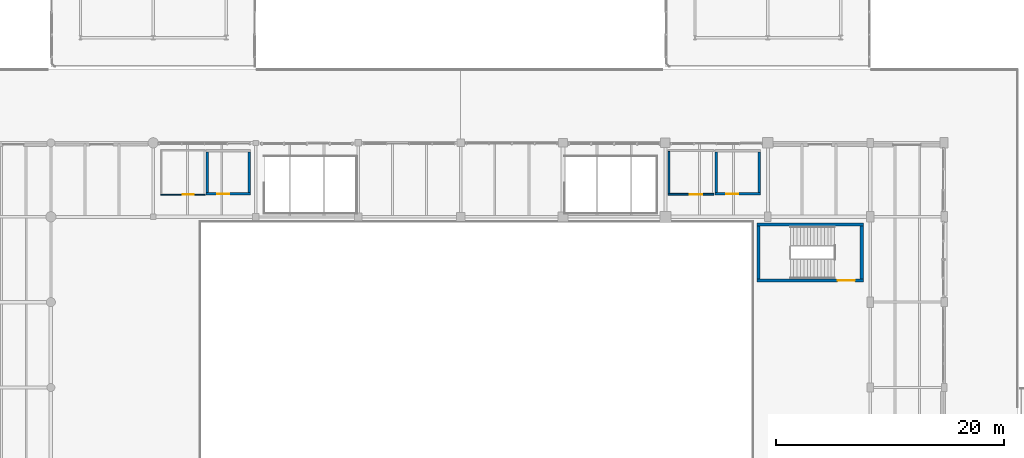
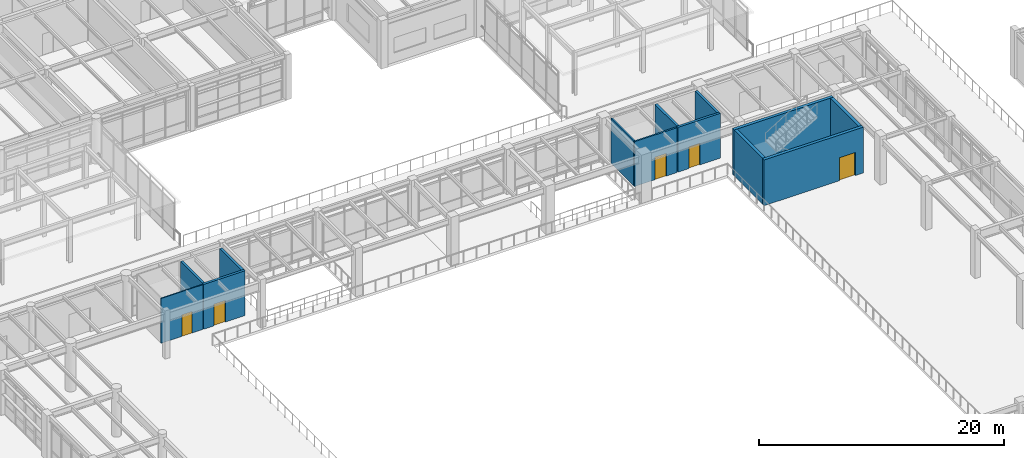
# One storey, part 174 of 200: 13 walls, 5 doors, 5 openings.
"""IFC4 building model written with IfcOpenShell, lengths in metres."""

from ifc_helpers import new_model, si_unit, direction, frame, frame_2d, origin, place, context, subcontext, project, spatial, rectangle, extrude, material, layer, layer_set, type_object, element, fill, save


model = new_model("IFC4")

# Units and contexts
model_context = context("Model", 3, precision=1e-05, world=origin(), true_north=direction((0.0, 1.0)))
body_context = subcontext(model_context, "Body", "Model", "MODEL_VIEW")
ifc_project = project(units=[si_unit("LENGTHUNIT", "METRE"), si_unit("AREAUNIT", "SQUARE_METRE"), si_unit("VOLUMEUNIT", "CUBIC_METRE"), si_unit("PLANEANGLEUNIT", "RADIAN"), si_unit("MASSUNIT", "GRAM", prefix="KILO"), si_unit("THERMODYNAMICTEMPERATUREUNIT", "KELVIN"), si_unit("POWERUNIT", "WATT")], contexts=[model_context])

# Site, building, storey
site_placement = place(None, origin())
site = spatial("IfcSite", under=ifc_project, at=site_placement, CompositionType="ELEMENT")
building_placement = place(site_placement, origin())
building = spatial("IfcBuilding", under=site, at=building_placement, Name="Tepalcoro Natatorium and Aquatics Centre", CompositionType="ELEMENT")
storey_placement = place(building_placement, frame((0.0, 0.0, 5.39990234375)))
storey = spatial("IfcBuildingStorey", under=building, at=storey_placement, Name="L01", CompositionType="ELEMENT", Elevation=5.39990234375)

# Wall, opening, door
ifc_material_1 = material(Name="Moisture-Resistant Acoustic Gypsum Drywall on Cold-Formed Metal Studs")
ifc_layer_1 = layer(ifc_material_1, 0.10009765625)
ifc_layer_set_1 = layer_set([ifc_layer_1], Name="Moisture-Resistant Acoustic Gypsum Drywall on Cold-Formed Metal Studs")
wall_type_1 = type_object("IfcWallType", Name="WL_PART_100", PredefinedType="PARTITIONING", material=ifc_layer_set_1)
wall_1_placement = place(storey_placement, frame((62.639892578125, 60.949951171875, 0.0), z_axis=(0.0, 0.0, 1.0), x_axis=(1.0, 0.0, 0.0)))
wall_1 = element("IfcWall", 1, at=wall_1_placement, inside=storey, type_object=wall_type_1, Name="North Concourse Espresso Bar NW Partition S", PredefinedType="PARTITIONING", context=body_context, shape_type="SweptSolid", body=[
    extrude(rectangle(XDim=3.920166015625, YDim=0.10009765625, at=frame_2d((1.9599609375, 0.0))), origin(), (0.0, 0.0, 1.0), 4.465087890625),
])
opening_1_placement = place(wall_1_placement, frame((1.952392578125, 0.0, 0.0)))
opening_1 = element("IfcOpeningElement", 2, at=opening_1_placement, cuts=wall_1, Name="Opening D0121", PredefinedType="OPENING", context=body_context, shape_type="SweptSolid", body=[
    extrude(rectangle(XDim=0.949951171875, YDim=2.14990234375, at=frame_2d((0.47509765625, 1.074951171875))), frame((0.0, 0.06201171875, 0.0), z_axis=(0.0, -1.0, 0.0), x_axis=(1.0, 0.0, 0.0)), (0.0, 0.0, 1.0), 0.1240234375),
])
ifc_material_2 = material(Name="Solid-Core Moisture-Sealed Oak Timber Leaf in Aluminium Frame", Category="wood")
door_type_1 = type_object("IfcDoorType", Name="DR_095x215_OFFICE", OperationType="NOTDEFINED", PredefinedType="DOOR", material=ifc_material_2)
door_1_placement = place(opening_1_placement, origin())
door_1 = element("IfcDoor", 3, at=door_1_placement, inside=storey, type_object=door_type_1, Name="North Concourse Espresso Bar NW Door", OperationType="SINGLE_SWING_LEFT", OverallHeight=2.14990234375, OverallWidth=0.949951171875, PredefinedType="DOOR", context=body_context, shape_type="SweptSolid", body=[
    extrude(rectangle(XDim=0.949951171875, YDim=2.14990234375, at=frame_2d((0.47509765625, 1.074951171875))), frame((0.0, 0.02490234375, 0.0), z_axis=(0.0, -1.0, 0.0), x_axis=(1.0, 0.0, 0.0)), (0.0, 0.0, 1.0), 0.050048828125),
])
fill(opening_1, door_1)

ifc_layer_2 = layer(ifc_material_1, 0.14990234375)
ifc_layer_set_2 = layer_set([ifc_layer_2], Name="Moisture-Resistant Acoustic Gypsum Drywall on Cold-Formed Metal Studs")
wall_type_2 = type_object("IfcWallType", Name="WL_PART_150_AC", PredefinedType="PARTITIONING", material=ifc_layer_set_2)
wall_2_placement = place(storey_placement, frame((107.239990234375, 60.97509765625, 0.0), z_axis=(0.0, 0.0, 1.0), x_axis=(1.0, 0.0, 0.0)))
wall_2 = element("IfcWall", 4, at=wall_2_placement, inside=storey, type_object=wall_type_2, Name="Spectator Steward Control & Crowd First Aid Partition S", PredefinedType="PARTITIONING", context=body_context, shape_type="SweptSolid", body=[
    extrude(rectangle(XDim=4.02001953125, YDim=0.14990234375, at=frame_2d((2.010009765625, 0.0))), origin(), (0.0, 0.0, 1.0), 4.465087890625),
])
opening_2_placement = place(wall_2_placement, frame((1.9150390625, 0.0, 0.0)))
opening_2 = element("IfcOpeningElement", 5, at=opening_2_placement, cuts=wall_2, Name="Opening D0123", PredefinedType="OPENING", context=body_context, shape_type="SweptSolid", body=[
    extrude(rectangle(XDim=1.10009765625, YDim=2.25, at=frame_2d((0.550048828125, 1.125))), frame((0.0, 0.0869140625, 0.0), z_axis=(0.0, -1.0, 0.0), x_axis=(1.0, 0.0, 0.0)), (0.0, 0.0, 1.0), 0.173828125),
])
door_type_2 = type_object("IfcDoorType", Name="DR_110x225", OperationType="NOTDEFINED", PredefinedType="DOOR", material=ifc_material_2)
door_2_placement = place(opening_2_placement, origin())
door_2 = element("IfcDoor", 6, at=door_2_placement, inside=storey, type_object=door_type_2, Name="Spectator Steward Control & Crowd First Aid Door", OperationType="SINGLE_SWING_LEFT", OverallHeight=2.25, OverallWidth=1.10009765625, PredefinedType="DOOR", context=body_context, shape_type="SweptSolid", body=[
    extrude(rectangle(XDim=1.10009765625, YDim=2.25, at=frame_2d((0.550048828125, 1.125))), frame((0.0, 0.02490234375, 0.0), z_axis=(0.0, -1.0, 0.0), x_axis=(1.0, 0.0, 0.0)), (0.0, 0.0, 1.0), 0.050048828125),
])
fill(opening_2, door_2)

# Wall
wall_3_placement = place(storey_placement, frame((107.31494140625, 61.050048828125, 0.0), z_axis=(0.0, 0.0, 1.0), x_axis=(0.0, 1.0, 0.0)))
element("IfcWall", 7, at=wall_3_placement, inside=storey, type_object=wall_type_2, Name="Spectator Steward Control & Crowd First Aid Partition W", PredefinedType="PARTITIONING", context=body_context, shape_type="SweptSolid", body=[
    extrude(rectangle(XDim=3.699951171875, YDim=0.14990234375, at=frame_2d((1.85009765625, 0.0))), origin(), (0.0, 0.0, 1.0), 4.465087890625),
])

# Wall, opening, door
ifc_material_3 = material(Name="Ceramic-Tiled Moisture-Resistant Masonry Blockwork", Category="masonry")
ifc_layer_3 = layer(ifc_material_3, 0.219970703125)
ifc_layer_set_3 = layer_set([ifc_layer_3], Name="Ceramic-Tiled Moisture-Resistant Masonry Blockwork")
wall_type_3 = type_object("IfcWallType", Name="WL_PLUMB_220", PredefinedType="PLUMBINGWALL", material=ifc_layer_set_3)
wall_4_placement = place(storey_placement, frame((66.639892578125, 61.010009765625, 0.0), z_axis=(0.0, 0.0, 1.0), x_axis=(1.0, 0.0, 0.0)))
wall_4 = element("IfcWall", 8, at=wall_4_placement, inside=storey, type_object=wall_type_3, Name="Spectator Toilets & Accessible WC NW Partition S", PredefinedType="PLUMBINGWALL", context=body_context, shape_type="SweptSolid", body=[
    extrude(rectangle(XDim=3.920166015625, YDim=0.219970703125, at=frame_2d((1.9599609375, 0.0))), origin(), (0.0, 0.0, 1.0), 4.465087890625),
])
opening_3_placement = place(wall_4_placement, frame((0.992431640625, 0.0, 0.0)))
opening_3 = element("IfcOpeningElement", 9, at=opening_3_placement, cuts=wall_4, Name="Opening D0122", PredefinedType="OPENING", context=body_context, shape_type="SweptSolid", body=[
    extrude(rectangle(XDim=1.050048828125, YDim=2.14990234375, at=frame_2d((0.52490234375, 1.074951171875))), frame((0.0, 0.1220703125, 0.0), z_axis=(0.0, -1.0, 0.0), x_axis=(1.0, 0.0, 0.0)), (0.0, 0.0, 1.0), 0.243896484375),
])
door_type_3 = type_object("IfcDoorType", Name="DR_105x215_ACC", OperationType="NOTDEFINED", PredefinedType="DOOR", material=ifc_material_2)
door_3_placement = place(opening_3_placement, origin())
door_3 = element("IfcDoor", 10, at=door_3_placement, inside=storey, type_object=door_type_3, Name="Spectator Toilets & Accessible WC NW Door", OperationType="SINGLE_SWING_RIGHT", OverallHeight=2.14990234375, OverallWidth=1.050048828125, PredefinedType="DOOR", context=body_context, shape_type="SweptSolid", body=[
    extrude(rectangle(XDim=1.050048828125, YDim=2.14990234375, at=frame_2d((0.52490234375, 1.074951171875))), frame((0.0, 0.02490234375, 0.0), z_axis=(0.0, -1.0, 0.0), x_axis=(1.0, 0.0, 0.0)), (0.0, 0.0, 1.0), 0.050048828125),
])
fill(opening_3, door_3)

# Walls
for number, where, z_axis, x_axis, name in (
    (11, (70.449951171875, 61.1201171875, 0.0), (0.0, 0.0, 1.0), (0.0, 1.0, 0.0), "Spectator Toilets & Accessible WC NW Partition E"),
    (12, (66.75, 61.1201171875, 0.0), (0.0, 0.0, 1.0), (0.0, 1.0, 0.0), "Spectator Toilets & Accessible WC NW Partition W"),
):
    element("IfcWall", number, at=place(storey_placement, frame(where, z_axis=z_axis, x_axis=x_axis)), inside=storey, type_object=wall_type_3, Name=name, PredefinedType="PLUMBINGWALL", context=body_context, shape_type="SweptSolid", body=[
        extrude(rectangle(XDim=3.559814453125, YDim=0.219970703125, at=frame_2d((1.77978515625, 0.0))), origin(), (0.0, 0.0, 1.0), 4.465087890625),
    ])

# Wall, opening, door
wall_5_placement = place(storey_placement, frame((111.340087890625, 61.010009765625, 0.0), z_axis=(0.0, 0.0, 1.0), x_axis=(1.0, 0.0, 0.0)))
wall_5 = element("IfcWall", 13, at=wall_5_placement, inside=storey, type_object=wall_type_3, Name="Spectator Toilets & Accessible WC NE Partition S", PredefinedType="PLUMBINGWALL", context=body_context, shape_type="SweptSolid", body=[
    extrude(rectangle(XDim=4.02001953125, YDim=0.219970703125, at=frame_2d((2.010009765625, 0.0))), origin(), (0.0, 0.0, 1.0), 4.465087890625),
])
opening_4_placement = place(wall_5_placement, frame((1.017578125, 0.0, 0.0)))
opening_4 = element("IfcOpeningElement", 14, at=opening_4_placement, cuts=wall_5, Name="Opening D0124", PredefinedType="OPENING", context=body_context, shape_type="SweptSolid", body=[
    extrude(rectangle(XDim=1.050048828125, YDim=2.14990234375, at=frame_2d((0.52490234375, 1.074951171875))), frame((0.0, 0.1220703125, 0.0), z_axis=(0.0, -1.0, 0.0), x_axis=(1.0, 0.0, 0.0)), (0.0, 0.0, 1.0), 0.243896484375),
])
door_4_placement = place(opening_4_placement, origin())
door_4 = element("IfcDoor", 15, at=door_4_placement, inside=storey, type_object=door_type_3, Name="Spectator Toilets & Accessible WC NE Door", OperationType="SINGLE_SWING_RIGHT", OverallHeight=2.14990234375, OverallWidth=1.050048828125, PredefinedType="DOOR", context=body_context, shape_type="SweptSolid", body=[
    extrude(rectangle(XDim=1.050048828125, YDim=2.14990234375, at=frame_2d((0.52490234375, 1.074951171875))), frame((0.0, 0.02490234375, 0.0), z_axis=(0.0, -1.0, 0.0), x_axis=(1.0, 0.0, 0.0)), (0.0, 0.0, 1.0), 0.050048828125),
])
fill(opening_4, door_4)

# Walls
for number, where, z_axis, x_axis, name in (
    (16, (115.25, 61.1201171875, 0.0), (0.0, 0.0, 1.0), (0.0, 1.0, 0.0), "Spectator Toilets & Accessible WC NE Partition E"),
    (17, (111.449951171875, 61.1201171875, 0.0), (0.0, 0.0, 1.0), (0.0, 1.0, 0.0), "Spectator Toilets & Accessible WC NE Partition W"),
):
    element("IfcWall", number, at=place(storey_placement, frame(where, z_axis=z_axis, x_axis=x_axis)), inside=storey, type_object=wall_type_3, Name=name, PredefinedType="PLUMBINGWALL", context=body_context, shape_type="SweptSolid", body=[
        extrude(rectangle(XDim=3.559814453125, YDim=0.219970703125, at=frame_2d((1.77978515625, 0.0))), origin(), (0.0, 0.0, 1.0), 4.465087890625),
    ])

# Wall, opening, door
ifc_material_4 = material(Name="Concrete C40/50 (fc 40 MPa)", Category="concrete")
ifc_layer_4 = layer(ifc_material_4, 0.280029296875)
ifc_layer_set_4 = layer_set([ifc_layer_4], Name="Concrete C40/50 (fc 40 MPa)")
wall_type_4 = type_object("IfcWallType", Name="WL_SHEAR_280", PredefinedType="SHEAR", material=ifc_layer_set_4)
wall_6_placement = place(storey_placement, frame((115.050048828125, 53.389892578125, 0.0), z_axis=(0.0, 0.0, 1.0), x_axis=(1.0, 0.0, 0.0)))
wall_6 = element("IfcWall", 18, at=wall_6_placement, inside=storey, type_object=wall_type_4, Name="ST02 Core Shear Wall S L01", PredefinedType="SHEAR", context=body_context, shape_type="SweptSolid", body=[
    extrude(rectangle(XDim=9.349853515625, YDim=0.280029296875, at=frame_2d((4.6748046875, 0.0))), origin(), (0.0, 0.0, 1.0), 4.56005859375),
])
opening_5_placement = place(wall_6_placement, frame((7.090087890625, 0.0, 0.0)))
opening_5 = element("IfcOpeningElement", 19, at=opening_5_placement, cuts=wall_6, Name="Opening D0009", PredefinedType="OPENING", context=body_context, shape_type="SweptSolid", body=[
    extrude(rectangle(XDim=1.5, YDim=2.300048828125, at=frame_2d((0.75, 1.14990234375))), frame((0.0, 0.15185546875, 0.0), z_axis=(0.0, -1.0, 0.0), x_axis=(1.0, 0.0, 0.0)), (0.0, 0.0, 1.0), 0.303955078125),
])
ifc_material_5 = material(Name="Galvanised Steel Insulated Acoustic Fire Door Assembly", Category="steel")
door_type_4 = type_object("IfcDoorType", Name="DR_150x230_FD60", OperationType="NOTDEFINED", PredefinedType="DOOR", material=ifc_material_5)
door_5_placement = place(opening_5_placement, origin())
door_5 = element("IfcDoor", 20, at=door_5_placement, inside=storey, type_object=door_type_4, Name="ST02 Fire Stair Door (L01)", OperationType="DOUBLE_DOOR_SINGLE_SWING", OverallHeight=2.300048828125, OverallWidth=1.5, PredefinedType="DOOR", context=body_context, shape_type="SweptSolid", body=[
    extrude(rectangle(XDim=1.5, YDim=2.300048828125, at=frame_2d((0.75, 1.14990234375))), frame((0.0, 0.02490234375, 0.0), z_axis=(0.0, -1.0, 0.0), x_axis=(1.0, 0.0, 0.0)), (0.0, 0.0, 1.0), 0.050048828125),
])
fill(opening_5, door_5)

# Walls
wall_7_placement = place(storey_placement, frame((115.050048828125, 58.31005859375, 0.0), z_axis=(0.0, 0.0, 1.0), x_axis=(1.0, 0.0, 0.0)))
element("IfcWall", 21, at=wall_7_placement, inside=storey, type_object=wall_type_4, Name="ST02 Core Shear Wall N L01", PredefinedType="SHEAR", context=body_context, shape_type="SweptSolid", body=[
    extrude(rectangle(XDim=9.349853515625, YDim=0.280029296875, at=frame_2d((4.6748046875, 0.0))), origin(), (0.0, 0.0, 1.0), 4.56005859375),
])
for number, where, z_axis, x_axis, name in (
    (22, (115.18994140625, 53.530029296875, 0.0), (0.0, 0.0, 1.0), (0.0, 1.0, 0.0), "ST02 Core Shear Wall W L01"),
    (23, (124.260009765625, 53.530029296875, 0.0), (0.0, 0.0, 1.0), (0.0, 1.0, 0.0), "ST02 Core Shear Wall E L01"),
):
    element("IfcWall", number, at=place(storey_placement, frame(where, z_axis=z_axis, x_axis=x_axis)), inside=storey, type_object=wall_type_4, Name=name, PredefinedType="SHEAR", context=body_context, shape_type="SweptSolid", body=[
        extrude(rectangle(XDim=4.639892578125, YDim=0.280029296875, at=frame_2d((2.31982421875, 0.0))), origin(), (0.0, 0.0, 1.0), 4.56005859375),
    ])

save(model, "model.ifc")
